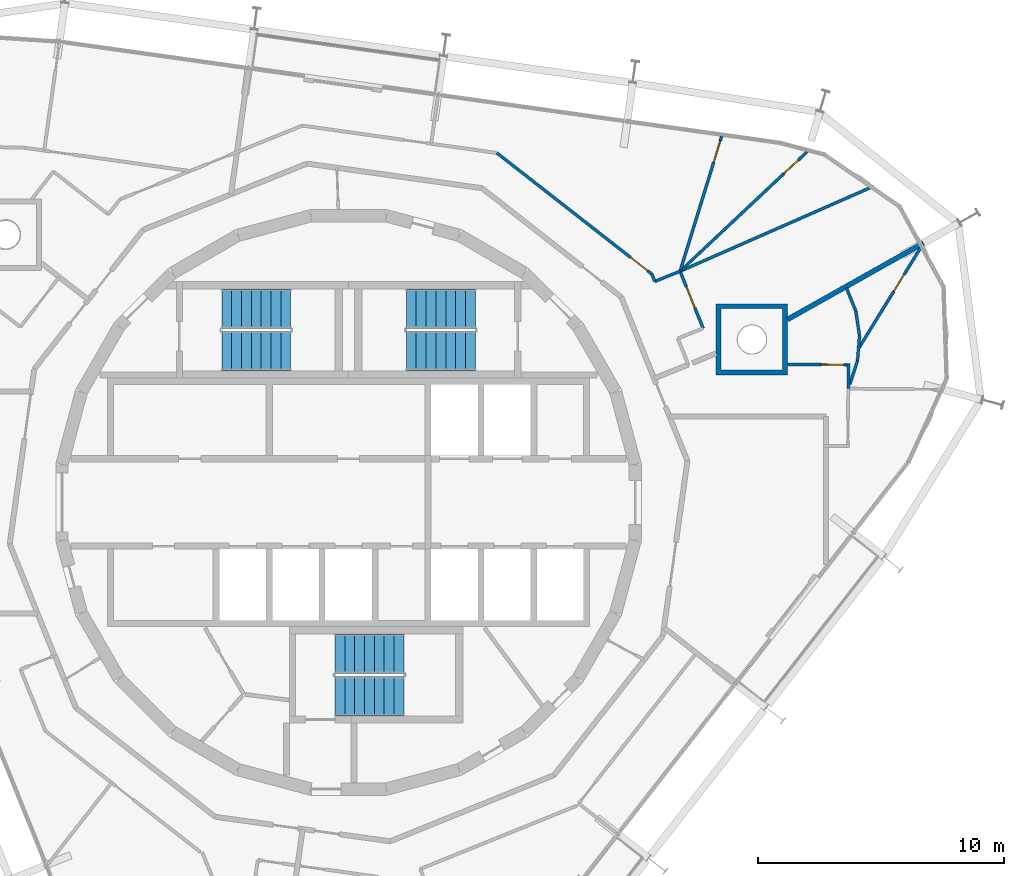
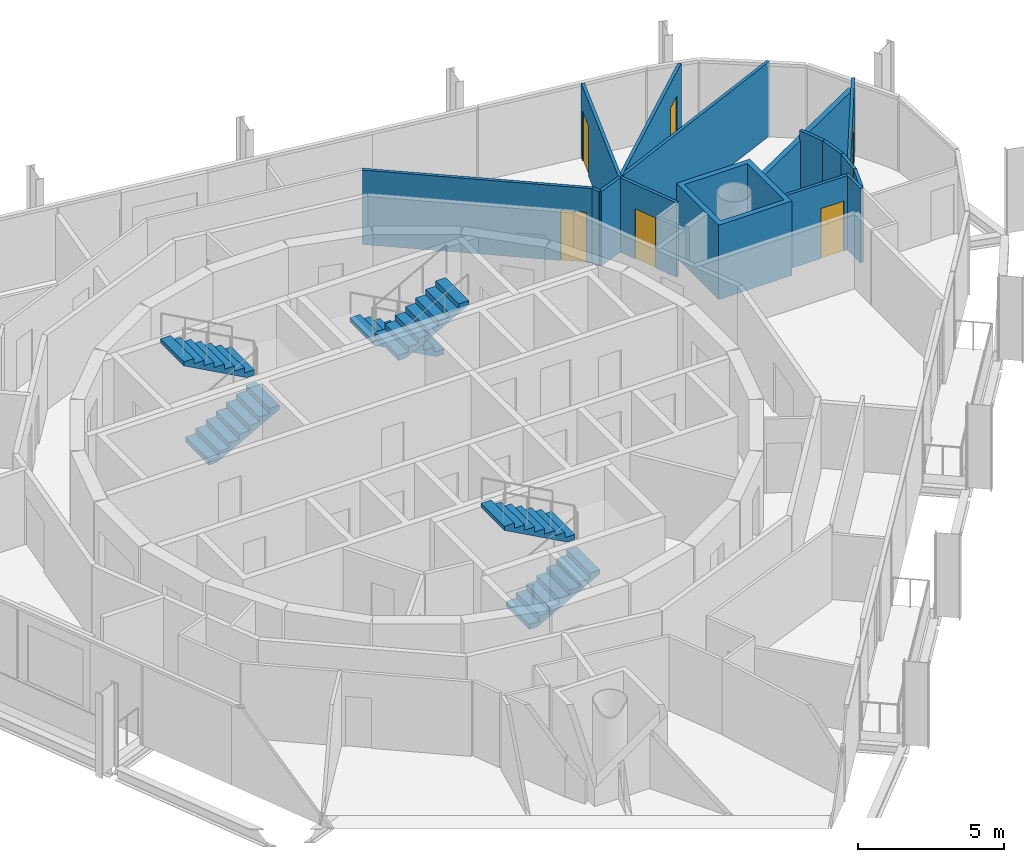
# One storey, part 14 of 15: 16 walls, 6 doors, 6 stair flights, 6 openings, 3 elements without a shape of their own.
"""IFC4 building model written with IfcOpenShell, lengths in metres."""

import ifcopenshell
import ifcopenshell.guid

model = None  # the IFC model being written
_history = None  # IfcOwnerHistory: only IFC2X3 demands one
_inside = {}  # id of a spatial element -> (the spatial element, [elements in it])
_under = {}  # id of a project, library or spatial element -> (it, [spatial elements below it])
_declared = {}  # id of a project -> (the project, [libraries it declares])
_typed = {}  # id of a type object -> (the type object, [elements of that type])
_made_of = {}  # id of a material, layer set ... -> (it, [elements and type objects made of it])


def new_model(schema):
    """Start an empty IFC model of exactly this schema.

    Asked for "IFC4X3", IfcOpenShell would pick the latest addendum, in which some entities
    have other attributes; the version numbers below select the first issue.
    IFC2X3 requires an IfcOwnerHistory on every rooted entity: one is made here for all.
    """
    global model, _history
    if schema == "IFC4X3":
        model = ifcopenshell.file(schema_version=(4, 3, 0, 0))
    else:
        model = ifcopenshell.file(schema=schema)
    _inside.clear()
    _under.clear()
    _declared.clear()
    _typed.clear()
    _made_of.clear()
    _history = None
    if model.schema == "IFC2X3":
        org = make("IfcOrganization", Name="unknown")
        user = make(
            "IfcPersonAndOrganization",
            ThePerson=make("IfcPerson", FamilyName="unknown"),
            TheOrganization=org,
        )
        app = make(
            "IfcApplication",
            ApplicationDeveloper=org,
            Version="unknown",
            ApplicationFullName="unknown",
            ApplicationIdentifier="unknown",
        )
        _history = make(
            "IfcOwnerHistory",
            OwningUser=user,
            OwningApplication=app,
            ChangeAction="ADDED",
            CreationDate=0,
        )
    return model


def make(cls, **values):
    """One entity of the class cls with the attributes given. An attribute that is None is left unset."""
    return model.create_entity(
        cls, **{name: value for name, value in values.items() if value is not None}
    )


def rooted(cls, **values):
    """An entity with a GlobalId (a new one), such as an element, a storey or a relation."""
    return make(cls, GlobalId=ifcopenshell.guid.new(), OwnerHistory=_history, **values)


def si_unit(unit_type, name, prefix=None):
    """IfcSIUnit, for example si_unit("LENGTHUNIT", "METRE", prefix="MILLI")."""
    return make("IfcSIUnit", UnitType=unit_type, Prefix=prefix, Name=name)


def assignment(units):
    """IfcUnitAssignment: the units of a project."""
    return None if units is None else make("IfcUnitAssignment", Units=units)


def point(xyz):
    """IfcCartesianPoint."""
    return None if xyz is None else make("IfcCartesianPoint", Coordinates=xyz)


def direction(xyz):
    """IfcDirection."""
    return None if xyz is None else make("IfcDirection", DirectionRatios=xyz)


def frame(location, z_axis=None, x_axis=None):
    """IfcAxis2Placement3D, a coordinate frame: its origin and axes. An axis left out is left unset."""
    return make(
        "IfcAxis2Placement3D",
        Location=point(location),
        Axis=direction(z_axis),
        RefDirection=direction(x_axis),
    )


def frame_2d(location, x_axis=None):
    """IfcAxis2Placement2D, a coordinate frame in the plane: its origin and x axis."""
    return make(
        "IfcAxis2Placement2D", Location=point(location), RefDirection=direction(x_axis)
    )


def origin():
    """The frame at (0, 0, 0) with its axes left unset."""
    return frame((0.0, 0.0, 0.0))


def place(relative_to, where):
    """IfcLocalPlacement: puts the frame where relative to a parent placement (None: the world)."""
    return make(
        "IfcLocalPlacement", PlacementRelTo=relative_to, RelativePlacement=where
    )


def context(
    kind, dimensions, precision=None, world=None, true_north=None, identifier=None
):
    """IfcGeometricRepresentationContext, for example the 3D "Model" context."""
    return make(
        "IfcGeometricRepresentationContext",
        ContextIdentifier=identifier,
        ContextType=kind,
        CoordinateSpaceDimension=dimensions,
        Precision=precision,
        WorldCoordinateSystem=world,
        TrueNorth=true_north,
    )


def subcontext(parent, identifier, kind, view, scale=None):
    """IfcGeometricRepresentationSubContext, for example "Body" below "Model"."""
    return make(
        "IfcGeometricRepresentationSubContext",
        ContextIdentifier=identifier,
        ContextType=kind,
        ParentContext=parent,
        TargetScale=scale,
        TargetView=view,
    )


def project(units=None, contexts=None):
    """IfcProject with its units and contexts."""
    return rooted(
        "IfcProject",
        Name="project",
        RepresentationContexts=contexts,
        UnitsInContext=assignment(units),
    )


def spatial(cls, under=None, at=None, **own):
    """A site, building, storey or space (cls), placed at a placement, below another one or the project."""
    s = rooted(cls, ObjectPlacement=at, **own)
    if under is not None:
        _under.setdefault(under.id(), (under, []))[1].append(s)
    return s


def polyline(points):
    """IfcPolyline through the points."""
    return make("IfcPolyline", Points=[point(p) for p in points])


def profile(cls, at=None, kind="AREA", **sizes):
    """A parametric profile (cls). Its sizes go by their IFC names, for example OverallWidth=200.0."""
    return make(cls, ProfileType=kind, Position=at, **sizes)


def rectangle(**sizes):
    """IfcRectangleProfileDef."""
    return profile("IfcRectangleProfileDef", **sizes)


def outline(outer, holes=None, kind="AREA"):
    """IfcArbitraryClosedProfileDef: a profile drawn as a closed curve; with holes, ...WithVoids."""
    if holes is None:
        return make("IfcArbitraryClosedProfileDef", ProfileType=kind, OuterCurve=outer)
    return make(
        "IfcArbitraryProfileDefWithVoids",
        ProfileType=kind,
        OuterCurve=outer,
        InnerCurves=holes,
    )


def extrude(swept, where, along, depth):
    """IfcExtrudedAreaSolid: the profile swept, set in the frame where, extruded along a direction by depth."""
    return make(
        "IfcExtrudedAreaSolid",
        SweptArea=swept,
        Position=where,
        ExtrudedDirection=direction(along),
        Depth=depth,
    )


def shape(context_of_items, identifier, shape_type, items):
    """IfcShapeRepresentation: the items that make up one representation, for example the "Body"."""
    return make(
        "IfcShapeRepresentation",
        ContextOfItems=context_of_items,
        RepresentationIdentifier=identifier,
        RepresentationType=shape_type,
        Items=items,
    )


def material(Name=None, Category=None):
    """IfcMaterial."""
    return make("IfcMaterial", Name=Name, Category=Category)


def layer(
    of_material, thickness, ventilated=None, Name=None, Category=None, Priority=None
):
    """IfcMaterialLayer: one layer of a wall or slab, of a material (None: an air gap)."""
    return make(
        "IfcMaterialLayer",
        Material=of_material,
        LayerThickness=thickness,
        IsVentilated=ventilated,
        Name=Name,
        Category=Category,
        Priority=Priority,
    )


def layer_set(layers, Name=None):
    """IfcMaterialLayerSet."""
    return make("IfcMaterialLayerSet", MaterialLayers=layers, LayerSetName=Name)


def made_of(thing, what):
    """Note that an element or type object is made of a material, layer set ...; save() writes the relation."""
    if what is not None:
        _made_of.setdefault(what.id(), (what, []))[1].append(thing)
    return thing


def type_object(cls, material=None, **own):
    """A type object (cls), such as IfcWallType, which elements share."""
    return made_of(rooted(cls, **own), material)


def element(
    cls,
    number,
    at=None,
    inside=None,
    cuts=None,
    type_object=None,
    material=None,
    context=None,
    identifier="Body",
    shape_type=None,
    held_by="IfcProductDefinitionShape",
    body=None,
    shapes=None,
    **own,
):
    """One element of the class cls, such as IfcWall. Its Tag is "e" and its number.

    at: its placement. inside: the storey or other place that contains it. cuts: it is an
    opening in that element (IfcRelVoidsElement). A single representation is given by context,
    identifier, shape_type and body (its items); several are given by shapes. held_by: the class
    of the entity that holds the representations. save() writes the other relations.
    """
    e = rooted(cls, Tag="e%d" % number, ObjectPlacement=at, **own)
    if body is not None:
        shapes = [shape(context, identifier, shape_type, body)]
    if shapes is not None:
        e.Representation = make(held_by, Representations=shapes)
    if inside is not None:
        _inside.setdefault(inside.id(), (inside, []))[1].append(e)
    if cuts is not None:
        rooted(
            "IfcRelVoidsElement", RelatingBuildingElement=cuts, RelatedOpeningElement=e
        )
    if type_object is not None:
        _typed.setdefault(type_object.id(), (type_object, []))[1].append(e)
    return made_of(e, material)


def fill(opening, filler):
    """IfcRelFillsElement: the door or window that sits in an opening."""
    return rooted(
        "IfcRelFillsElement",
        RelatingOpeningElement=opening,
        RelatedBuildingElement=filler,
    )


def aggregate(whole, parts):
    """IfcRelAggregates: a whole, such as a stair, and the parts it consists of."""
    return rooted("IfcRelAggregates", RelatingObject=whole, RelatedObjects=parts)


def save(model, path):
    """Write the relations noted so far, then the file.

    IfcRelAggregates (storeys below a building ...), IfcRelContainedInSpatialStructure (elements
    in a storey), IfcRelDefinesByType, IfcRelAssociatesMaterial and IfcRelDeclares: one each for
    every whole, place, type object, material and project.
    """
    for whole, parts in _under.values():
        aggregate(whole, parts)
    for where, things in _inside.values():
        rooted(
            "IfcRelContainedInSpatialStructure",
            RelatedElements=things,
            RelatingStructure=where,
        )
    for kind, things in _typed.values():
        rooted("IfcRelDefinesByType", RelatedObjects=things, RelatingType=kind)
    for what, things in _made_of.values():
        rooted("IfcRelAssociatesMaterial", RelatedObjects=things, RelatingMaterial=what)
    for by, libraries in _declared.values():
        rooted("IfcRelDeclares", RelatingContext=by, RelatedDefinitions=libraries)
    model.write(path)


model = new_model("IFC4")

# Units and contexts
model_context = context("Model", 3, precision=1e-05, world=origin(), true_north=direction((0.0, 1.0)))
body_context = subcontext(model_context, "Body", "Model", "MODEL_VIEW")
ifc_project = project(units=[si_unit("LENGTHUNIT", "METRE"), si_unit("AREAUNIT", "SQUARE_METRE"), si_unit("VOLUMEUNIT", "CUBIC_METRE"), si_unit("PLANEANGLEUNIT", "RADIAN"), si_unit("MASSUNIT", "GRAM", prefix="KILO")], contexts=[model_context])

# Site, building, storey
site_placement = place(None, origin())
site = spatial("IfcSite", under=ifc_project, at=site_placement, CompositionType="ELEMENT")
building_placement = place(site_placement, origin())
building = spatial("IfcBuilding", under=site, at=building_placement, Name="Spindle Arch Residences", CompositionType="ELEMENT")
storey_placement = place(building_placement, frame((0.0, 0.0, 340.0)))
storey = spatial("IfcBuildingStorey", under=building, at=storey_placement, Name="L87", CompositionType="ELEMENT", Elevation=340.0)

# Wall
ifc_material_1 = material(Name="Plasterboard on steel studs", Category="steel")
ifc_layer_1 = layer(ifc_material_1, 0.1201171875)
ifc_layer_set_1 = layer_set([ifc_layer_1], Name="Flat partition 120")
wall_type_1 = type_object("IfcWallType", Name="Flat partition 120", PredefinedType="PARTITIONING", material=ifc_layer_set_1)
wall_1_placement = place(storey_placement, frame((20.30615234375, 4.638671875, 0.0), z_axis=(0.0, 0.0, 1.0), x_axis=(0.008906724211, 0.999960334345, 0.0)))
element("IfcWall", 1, at=wall_1_placement, inside=storey, type_object=wall_type_1, Name="Flat partition R9A0-W033", PredefinedType="PARTITIONING", context=body_context, shape_type="SweptSolid", body=[
    extrude(rectangle(XDim=1.01416015625, YDim=0.1201171875, at=frame_2d((0.507080078125, 0.0))), origin(), (0.0, 0.0, 1.0), 3.1201171875),
])

# Wall, opening, door
wall_2_placement = place(storey_placement, frame((20.314697265625, 5.593017578125, 0.0), z_axis=(0.0, 0.0, 1.0), x_axis=(-0.999960597409, 0.008877140833, 0.0)))
wall_2 = element("IfcWall", 2, at=wall_2_placement, inside=storey, type_object=wall_type_1, Name="Flat partition R9A0-W034", PredefinedType="PARTITIONING", context=body_context, shape_type="SweptSolid", body=[
    extrude(rectangle(XDim=2.47509765625, YDim=0.1201171875, at=frame_2d((1.237548828125, 0.0))), origin(), (0.0, 0.0, 1.0), 3.1201171875),
])
opening_1_placement = place(wall_2_placement, frame((0.199951171875, 0.0, 0.0)))
opening_1 = element("IfcOpeningElement", 3, at=opening_1_placement, cuts=wall_2, Name="Opening R9A0-ID02", PredefinedType="OPENING", context=body_context, shape_type="SweptSolid", body=[
    extrude(rectangle(XDim=0.89990234375, YDim=2.10009765625, at=frame_2d((0.449951171875, 1.050048828125))), frame((0.0, 0.070068359375, 0.0), z_axis=(0.0, -1.0, 0.0), x_axis=(1.0, 0.0, 0.0)), (0.0, 0.0, 1.0), 0.14013671875),
])
ifc_material_2 = material(Name="Timber door set", Category="wood")
door_type_1 = type_object("IfcDoorType", Name="Room door 900x2100", OperationType="NOTDEFINED", PredefinedType="DOOR", material=ifc_material_2)
door_1_placement = place(opening_1_placement, origin())
door_1 = element("IfcDoor", 4, at=door_1_placement, inside=storey, type_object=door_type_1, Name="Room door R9A0-ID02", OperationType="SINGLE_SWING_RIGHT", OverallHeight=2.10009765625, OverallWidth=0.89990234375, PredefinedType="DOOR", context=body_context, shape_type="SweptSolid", body=[
    extrude(rectangle(XDim=0.89990234375, YDim=2.10009765625, at=frame_2d((0.449951171875, 1.050048828125))), frame((0.0, 0.02490234375, 0.0), z_axis=(0.0, -1.0, 0.0), x_axis=(1.0, 0.0, 0.0)), (0.0, 0.0, 1.0), 0.050048828125),
])
fill(opening_1, door_1)

# Walls
wall_3_placement = place(storey_placement, frame((20.762451171875, 6.774658203125, 0.0), z_axis=(0.0, 0.0, 1.0), x_axis=(-0.08121587, -0.996696534789, 0.0)))
element("IfcWall", 5, at=wall_3_placement, inside=storey, type_object=wall_type_1, Name="Flat partition R9A0-W036", PredefinedType="PARTITIONING", context=body_context, shape_type="SweptSolid", body=[
    extrude(rectangle(XDim=1.01611328125, YDim=0.1201171875, at=frame_2d((0.508056640625, 0.0))), origin(), (0.0, 0.0, 1.0), 3.1201171875),
])
wall_4_placement = place(storey_placement, frame((20.679931640625, 5.761962890625, 0.0), z_axis=(0.0, 0.0, 1.0), x_axis=(-0.30908063779, -0.951035834942, 0.0)))
element("IfcWall", 6, at=wall_4_placement, inside=storey, type_object=wall_type_1, Name="Flat partition R9A0-W037", PredefinedType="PARTITIONING", context=body_context, shape_type="SweptSolid", body=[
    extrude(rectangle(XDim=1.015869140625, YDim=0.1201171875, at=frame_2d((0.5078125, 0.0))), origin(), (0.0, 0.0, 1.0), 3.1201171875),
])

# Wall, opening, door
wall_5_placement = place(storey_placement, frame((23.357421875, 10.532470703125, 0.0), z_axis=(0.0, 0.0, 1.0), x_axis=(-0.524476563806, -0.851424884542, 0.0)))
wall_5 = element("IfcWall", 7, at=wall_5_placement, inside=storey, type_object=wall_type_1, Name="Flat partition R9A0-W038", PredefinedType="PARTITIONING", context=body_context, shape_type="SweptSolid", body=[
    extrude(rectangle(XDim=5.029296875, YDim=0.1201171875, at=frame_2d((2.5146484375, 0.0))), origin(), (0.0, 0.0, 1.0), 3.1201171875),
])
opening_2_placement = place(wall_5_placement, frame((1.5, 0.0, 0.0)))
opening_2 = element("IfcOpeningElement", 8, at=opening_2_placement, cuts=wall_5, Name="Opening R9A0-BD01", PredefinedType="OPENING", context=body_context, shape_type="SweptSolid", body=[
    extrude(rectangle(XDim=0.800048828125, YDim=2.10009765625, at=frame_2d((0.39990234375, 1.050048828125))), frame((0.0, 0.070068359375, 0.0), z_axis=(0.0, -1.0, 0.0), x_axis=(1.0, 0.0, 0.0)), (0.0, 0.0, 1.0), 0.14013671875),
])
ifc_material_3 = material(Name="Timber door set", Category="wood")
door_type_2 = type_object("IfcDoorType", Name="Bathroom door 800x2100", OperationType="NOTDEFINED", PredefinedType="DOOR", material=ifc_material_3)
door_2_placement = place(opening_2_placement, origin())
door_2 = element("IfcDoor", 9, at=door_2_placement, inside=storey, type_object=door_type_2, Name="Bathroom door R9A0-BD01", OperationType="SINGLE_SWING_RIGHT", OverallHeight=2.10009765625, OverallWidth=0.800048828125, PredefinedType="DOOR", context=body_context, shape_type="SweptSolid", body=[
    extrude(rectangle(XDim=0.800048828125, YDim=2.10009765625, at=frame_2d((0.39990234375, 1.050048828125))), frame((0.0, 0.02490234375, 0.0), z_axis=(0.0, -1.0, 0.0), x_axis=(1.0, 0.0, 0.0)), (0.0, 0.0, 1.0), 0.050048828125),
])
fill(opening_2, door_2)

# Walls
wall_6_placement = place(storey_placement, frame((20.762451171875, 6.774658203125, 0.0), z_axis=(0.0, 0.0, 1.0), x_axis=(-0.150702440861, 0.988579169474, 0.0)))
element("IfcWall", 10, at=wall_6_placement, inside=storey, type_object=wall_type_1, Name="Flat partition R9A0-W039", PredefinedType="PARTITIONING", context=body_context, shape_type="SweptSolid", body=[
    extrude(rectangle(XDim=1.015869140625, YDim=0.1201171875, at=frame_2d((0.5078125, 0.0))), origin(), (0.0, 0.0, 1.0), 3.1201171875),
])
wall_7_placement = place(storey_placement, frame((20.609375, 7.77880859375, 0.0), z_axis=(0.0, 0.0, 1.0), x_axis=(-0.374371668856, 0.927278735633, 0.0)))
element("IfcWall", 11, at=wall_7_placement, inside=storey, type_object=wall_type_1, Name="Flat partition R9A0-W040", PredefinedType="PARTITIONING", context=body_context, shape_type="SweptSolid", body=[
    extrude(rectangle(XDim=1.01611328125, YDim=0.1201171875, at=frame_2d((0.508056640625, 0.0))), origin(), (0.0, 0.0, 1.0), 3.1201171875),
])

# Wall, opening, door
wall_8_placement = place(storey_placement, frame((14.406494140625, 7.076416015625, 0.0), z_axis=(0.0, 0.0, 1.0), x_axis=(-0.374503415005, 0.927225534673, 0.0)))
wall_8 = element("IfcWall", 12, at=wall_8_placement, inside=storey, type_object=wall_type_1, Name="Flat partition R9A0-W043", PredefinedType="PARTITIONING", context=body_context, shape_type="SweptSolid", body=[
    extrude(rectangle(XDim=2.5, YDim=0.1201171875, at=frame_2d((1.25, 0.0))), origin(), (0.0, 0.0, 1.0), 3.1201171875),
])
opening_3_placement = place(wall_8_placement, frame((0.89990234375, 0.0, 0.0)))
opening_3 = element("IfcOpeningElement", 13, at=opening_3_placement, cuts=wall_8, Name="Opening R9A0-ID04", PredefinedType="OPENING", context=body_context, shape_type="SweptSolid", body=[
    extrude(rectangle(XDim=0.89990234375, YDim=2.10009765625, at=frame_2d((0.449951171875, 1.050048828125))), frame((0.0, 0.070068359375, 0.0), z_axis=(0.0, -1.0, 0.0), x_axis=(1.0, 0.0, 0.0)), (0.0, 0.0, 1.0), 0.14013671875),
])
door_3_placement = place(opening_3_placement, origin())
door_3 = element("IfcDoor", 14, at=door_3_placement, inside=storey, type_object=door_type_1, Name="Room door R9A0-ID04", OperationType="SINGLE_SWING_LEFT", OverallHeight=2.10009765625, OverallWidth=0.89990234375, PredefinedType="DOOR", context=body_context, shape_type="SweptSolid", body=[
    extrude(rectangle(XDim=0.89990234375, YDim=2.10009765625, at=frame_2d((0.449951171875, 1.050048828125))), frame((0.0, 0.02490234375, 0.0), z_axis=(0.0, -1.0, 0.0), x_axis=(1.0, 0.0, 0.0)), (0.0, 0.0, 1.0), 0.050048828125),
])
fill(opening_3, door_3)

# Walls
wall_9_placement = place(storey_placement, frame((13.47021484375, 9.39453125, 0.0), z_axis=(0.0, 0.0, 1.0), x_axis=(-0.927180061276, -0.374615982003, 0.0)))
element("IfcWall", 15, at=wall_9_placement, inside=storey, type_object=wall_type_1, Name="Flat partition R9A0-W044", PredefinedType="PARTITIONING", context=body_context, shape_type="SweptSolid", body=[
    extrude(rectangle(XDim=1.108642578125, YDim=0.1201171875, at=frame_2d((0.55419921875, 0.0))), origin(), (0.0, 0.0, 1.0), 3.1201171875),
])
wall_10_placement = place(storey_placement, frame((12.4423828125, 8.979248046875, 0.0), z_axis=(0.0, 0.0, 1.0), x_axis=(-0.374979656603, 0.927033039936, 0.0)))
element("IfcWall", 16, at=wall_10_placement, inside=storey, type_object=wall_type_1, Name="Flat partition R9A0-W045", PredefinedType="PARTITIONING", context=body_context, shape_type="SweptSolid", body=[
    extrude(rectangle(XDim=0.328125, YDim=0.1201171875, at=frame_2d((0.1640625, 0.0))), origin(), (0.0, 0.0, 1.0), 3.1201171875),
])

# Wall, opening, door
wall_11_placement = place(storey_placement, frame((12.3193359375, 9.283447265625, 0.0), z_axis=(0.0, 0.0, 1.0), x_axis=(-0.788000268464, 0.61567489546, 0.0)))
wall_11 = element("IfcWall", 17, at=wall_11_placement, inside=storey, type_object=wall_type_1, Name="Flat partition R9A0-W046", PredefinedType="PARTITIONING", context=body_context, shape_type="SweptSolid", body=[
    extrude(rectangle(XDim=7.98486328125, YDim=0.1201171875, at=frame_2d((3.992431640625, 0.0))), origin(), (0.0, 0.0, 1.0), 3.1201171875),
])
opening_4_placement = place(wall_11_placement, frame((0.199951171875, 0.0, 0.0)))
opening_4 = element("IfcOpeningElement", 18, at=opening_4_placement, cuts=wall_11, Name="Opening R9A0-ID05", PredefinedType="OPENING", context=body_context, shape_type="SweptSolid", body=[
    extrude(rectangle(XDim=0.89990234375, YDim=2.10009765625, at=frame_2d((0.449951171875, 1.050048828125))), frame((0.0, 0.070068359375, 0.0), z_axis=(0.0, -1.0, 0.0), x_axis=(1.0, 0.0, 0.0)), (0.0, 0.0, 1.0), 0.14013671875),
])
door_4_placement = place(opening_4_placement, origin())
door_4 = element("IfcDoor", 19, at=door_4_placement, inside=storey, type_object=door_type_1, Name="Room door R9A0-ID05", OperationType="SINGLE_SWING_LEFT", OverallHeight=2.10009765625, OverallWidth=0.89990234375, PredefinedType="DOOR", context=body_context, shape_type="SweptSolid", body=[
    extrude(rectangle(XDim=0.89990234375, YDim=2.10009765625, at=frame_2d((0.449951171875, 1.050048828125))), frame((0.0, 0.02490234375, 0.0), z_axis=(0.0, -1.0, 0.0), x_axis=(1.0, 0.0, 0.0)), (0.0, 0.0, 1.0), 0.050048828125),
])
fill(opening_4, door_4)

# Wall
wall_12_placement = place(storey_placement, frame((21.33837890625, 12.851318359375, 0.0), z_axis=(0.0, 0.0, 1.0), x_axis=(-0.915538158579, -0.402231127818, 0.0)))
element("IfcWall", 20, at=wall_12_placement, inside=storey, type_object=wall_type_1, Name="Flat partition R9A0-W049", PredefinedType="PARTITIONING", context=body_context, shape_type="SweptSolid", body=[
    extrude(rectangle(XDim=8.593994140625, YDim=0.1201171875, at=frame_2d((4.296875, 0.0))), origin(), (0.0, 0.0, 1.0), 3.1201171875),
])

# Wall, opening, door
wall_13_placement = place(storey_placement, frame((18.63330078125, 14.248291015625, 0.0), z_axis=(0.0, 0.0, 1.0), x_axis=(-0.728595344908, -0.684944394369, 0.0)))
wall_13 = element("IfcWall", 21, at=wall_13_placement, inside=storey, type_object=wall_type_1, Name="Flat partition R9A0-W050", PredefinedType="PARTITIONING", context=body_context, shape_type="SweptSolid", body=[
    extrude(rectangle(XDim=7.08642578125, YDim=0.1201171875, at=frame_2d((3.543212890625, 0.0))), origin(), (0.0, 0.0, 1.0), 3.1201171875),
])
opening_5_placement = place(wall_13_placement, frame((0.5, 0.0, 0.0)))
opening_5 = element("IfcOpeningElement", 22, at=opening_5_placement, cuts=wall_13, Name="Opening R9A0-BD02", PredefinedType="OPENING", context=body_context, shape_type="SweptSolid", body=[
    extrude(rectangle(XDim=0.800048828125, YDim=2.10009765625, at=frame_2d((0.39990234375, 1.050048828125))), frame((0.0, 0.070068359375, 0.0), z_axis=(0.0, -1.0, 0.0), x_axis=(1.0, 0.0, 0.0)), (0.0, 0.0, 1.0), 0.14013671875),
])
door_5_placement = place(opening_5_placement, origin())
door_5 = element("IfcDoor", 23, at=door_5_placement, inside=storey, type_object=door_type_2, Name="Bathroom door R9A0-BD02", OperationType="SINGLE_SWING_LEFT", OverallHeight=2.10009765625, OverallWidth=0.800048828125, PredefinedType="DOOR", context=body_context, shape_type="SweptSolid", body=[
    extrude(rectangle(XDim=0.800048828125, YDim=2.10009765625, at=frame_2d((0.39990234375, 1.050048828125))), frame((0.0, 0.02490234375, 0.0), z_axis=(0.0, -1.0, 0.0), x_axis=(1.0, 0.0, 0.0)), (0.0, 0.0, 1.0), 0.050048828125),
])
fill(opening_5, door_5)

wall_14_placement = place(storey_placement, frame((15.16015625, 14.873291015625, 0.0), z_axis=(0.0, 0.0, 1.0), x_axis=(-0.294750051258, -0.955574386055, 0.0)))
wall_14 = element("IfcWall", 24, at=wall_14_placement, inside=storey, type_object=wall_type_1, Name="Flat partition R9A0-W051", PredefinedType="PARTITIONING", context=body_context, shape_type="SweptSolid", body=[
    extrude(rectangle(XDim=5.7333984375, YDim=0.1201171875, at=frame_2d((2.86669921875, 0.0))), origin(), (0.0, 0.0, 1.0), 3.1201171875),
])
opening_6_placement = place(wall_14_placement, frame((0.199951171875, 0.0, 0.0)))
opening_6 = element("IfcOpeningElement", 25, at=opening_6_placement, cuts=wall_14, Name="Opening R9A0-ID07", PredefinedType="OPENING", context=body_context, shape_type="SweptSolid", body=[
    extrude(rectangle(XDim=0.89990234375, YDim=2.10009765625, at=frame_2d((0.449951171875, 1.050048828125))), frame((0.0, 0.070068359375, 0.0), z_axis=(0.0, -1.0, 0.0), x_axis=(1.0, 0.0, 0.0)), (0.0, 0.0, 1.0), 0.14013671875),
])
door_6_placement = place(opening_6_placement, origin())
door_6 = element("IfcDoor", 26, at=door_6_placement, inside=storey, type_object=door_type_1, Name="Room door R9A0-ID07", OperationType="SINGLE_SWING_LEFT", OverallHeight=2.10009765625, OverallWidth=0.89990234375, PredefinedType="DOOR", context=body_context, shape_type="SweptSolid", body=[
    extrude(rectangle(XDim=0.89990234375, YDim=2.10009765625, at=frame_2d((0.449951171875, 1.050048828125))), frame((0.0, 0.02490234375, 0.0), z_axis=(0.0, -1.0, 0.0), x_axis=(1.0, 0.0, 0.0)), (0.0, 0.0, 1.0), 0.050048828125),
])
fill(opening_6, door_6)

# Walls
ifc_material_4 = material(Name="Calcium silicate block, plastered")
ifc_layer_2 = layer(ifc_material_4, 0.199951171875)
ifc_layer_set_2 = layer_set([ifc_layer_2], Name="Flat party wall 200 under beam 2730")
wall_type_2 = type_object("IfcWallType", Name="Flat party wall 200 under beam 2730", PredefinedType="STANDARD", material=ifc_layer_set_2)
wall_15_placement = place(storey_placement, frame((23.354248046875, 10.536865234375, 0.0), z_axis=(0.0, 0.0, 1.0), x_axis=(-0.871719790551, -0.490004700754, 0.0)))
element("IfcWall", 27, at=wall_15_placement, inside=storey, type_object=wall_type_2, Name="Flat party wall R9A0-W025", PredefinedType="STANDARD", context=body_context, shape_type="SweptSolid", body=[
    extrude(rectangle(XDim=6.326171875, YDim=0.199951171875, at=frame_2d((3.1630859375, 0.0))), origin(), (0.0, 0.0, 1.0), 2.72998046875),
])
ifc_material_5 = material(Name="Calcium silicate block, plastered")
ifc_layer_3 = layer(ifc_material_5, 0.199951171875)
ifc_layer_set_3 = layer_set([ifc_layer_3], Name="Mega-column casing wall 200")
wall_type_3 = type_object("IfcWallType", Name="Mega-column casing wall 200", PredefinedType="STANDARD", material=ifc_layer_set_3)
wall_16_placement = place(storey_placement, origin())
element("IfcWall", 28, at=wall_16_placement, inside=storey, type_object=wall_type_3, Name="Mega-column casing wall R9A0-WC01", PredefinedType="STANDARD", context=body_context, shape_type="SweptSolid", body=[
    extrude(outline(polyline([(17.839599609375, 8.072021484375), (17.839599609375, 5.171875), (14.939697265625, 5.171875), (14.939697265625, 8.072021484375), (17.839599609375, 8.072021484375)]), holes=[polyline([(15.1396484375, 5.371826171875), (17.6396484375, 5.371826171875), (17.6396484375, 7.871826171875), (15.1396484375, 7.871826171875), (15.1396484375, 5.371826171875)])]), origin(), (0.0, 0.0, 1.0), 3.1201171875),
])

# Stair, stair flights
ifc_material_6 = material(Name="Concrete C50/60", Category="concrete")
stair_type = type_object("IfcStairType", Name="Exit stair 16 risers", PredefinedType="HALF_TURN_STAIR", material=ifc_material_6)
stair_1_placement = place(storey_placement, origin())
stair_1 = element("IfcStair", 29, at=stair_1_placement, inside=storey, type_object=stair_type, Name="L87 Exit stair ST1", PredefinedType="HALF_TURN_STAIR")
ifc_material_7 = material(Name="Concrete C50/60", Category="concrete")
stair_flight_type = type_object("IfcStairFlightType", Name="Exit stair flight", PredefinedType="STRAIGHT", material=ifc_material_7)
stair_flight_1_placement = place(storey_placement, frame((5.14990234375, 7.8701171875, 0.0), z_axis=(0.0, 0.0, 1.0), x_axis=(-1.0, 0.0, 0.0)))
stair_flight_1 = element("IfcStairFlight", 30, at=stair_flight_1_placement, type_object=stair_flight_type, Name="ST1 flight 1", NumberOfRisers=8, NumberOfTreads=7, PredefinedType="STRAIGHT", RiserHeight=0.21875, TreadLength=0.4, context=body_context, shape_type="SweptSolid", body=[
    extrude(outline(polyline([(0.0, 0.0), (0.0, 0.21875), (0.39990234375, 0.21875), (0.39990234375, 0.4375), (0.800048828125, 0.4375), (0.800048828125, 0.65625), (1.199951171875, 0.65625), (1.199951171875, 0.875), (1.60009765625, 0.875), (1.60009765625, 1.09375), (2.0, 1.09375), (2.0, 1.3125), (2.39990234375, 1.3125), (2.39990234375, 1.53125), (2.800048828125, 1.53125), (2.800048828125, 1.75), (2.800048828125, 1.3603515625), (0.3125, 0.0), (0.0, 0.0)])), frame((0.0, 0.800048828125, 0.0), z_axis=(0.0, -1.0, 0.0), x_axis=(1.0, 0.0, 0.0)), (0.0, 0.0, 1.0), 1.60009765625),
])
stair_flight_2_placement = place(storey_placement, frame((2.35009765625, 6.14990234375, 1.75), z_axis=(0.0, 0.0, 1.0), x_axis=(1.0, 0.0, 0.0)))
stair_flight_2 = element("IfcStairFlight", 31, at=stair_flight_2_placement, type_object=stair_flight_type, Name="ST1 flight 2", NumberOfRisers=8, NumberOfTreads=7, PredefinedType="STRAIGHT", RiserHeight=0.21875, TreadLength=0.4, context=body_context, shape_type="SweptSolid", body=[
    extrude(outline(polyline([(0.0, 0.0), (0.0, 0.21875), (0.39990234375, 0.21875), (0.39990234375, 0.4375), (0.800048828125, 0.4375), (0.800048828125, 0.65625), (1.199951171875, 0.65625), (1.199951171875, 0.875), (1.60009765625, 0.875), (1.60009765625, 1.09375), (2.0, 1.09375), (2.0, 1.3125), (2.39990234375, 1.3125), (2.39990234375, 1.53125), (2.800048828125, 1.53125), (2.800048828125, 1.75), (2.800048828125, 1.3603515625), (0.3125, 0.0), (0.0, 0.0)])), frame((0.0, 0.800048828125, 0.0), z_axis=(0.0, -1.0, 0.0), x_axis=(1.0, 0.0, 0.0)), (0.0, 0.0, 1.0), 1.60009765625),
])
aggregate(stair_1, [stair_flight_1, stair_flight_2])

stair_2_placement = place(storey_placement, origin())
stair_2 = element("IfcStair", 32, at=stair_2_placement, inside=storey, type_object=stair_type, Name="L87 Exit stair ST2", PredefinedType="HALF_TURN_STAIR")
stair_flight_3_placement = place(storey_placement, frame((-5.14990234375, 6.14990234375, 0.0), z_axis=(0.0, 0.0, 1.0), x_axis=(1.0, 0.0, 0.0)))
stair_flight_3 = element("IfcStairFlight", 33, at=stair_flight_3_placement, type_object=stair_flight_type, Name="ST2 flight 1", NumberOfRisers=8, NumberOfTreads=7, PredefinedType="STRAIGHT", RiserHeight=0.21875, TreadLength=0.4, context=body_context, shape_type="SweptSolid", body=[
    extrude(outline(polyline([(0.0, 0.0), (0.0, 0.21875), (0.39990234375, 0.21875), (0.39990234375, 0.4375), (0.800048828125, 0.4375), (0.800048828125, 0.65625), (1.199951171875, 0.65625), (1.199951171875, 0.875), (1.60009765625, 0.875), (1.60009765625, 1.09375), (2.0, 1.09375), (2.0, 1.3125), (2.39990234375, 1.3125), (2.39990234375, 1.53125), (2.800048828125, 1.53125), (2.800048828125, 1.75), (2.800048828125, 1.3603515625), (0.3125, 0.0), (0.0, 0.0)])), frame((0.0, 0.800048828125, 0.0), z_axis=(0.0, -1.0, 0.0), x_axis=(1.0, 0.0, 0.0)), (0.0, 0.0, 1.0), 1.60009765625),
])
stair_flight_4_placement = place(storey_placement, frame((-2.35009765625, 7.8701171875, 1.75), z_axis=(0.0, 0.0, 1.0), x_axis=(-1.0, 0.0, 0.0)))
stair_flight_4 = element("IfcStairFlight", 34, at=stair_flight_4_placement, type_object=stair_flight_type, Name="ST2 flight 2", NumberOfRisers=8, NumberOfTreads=7, PredefinedType="STRAIGHT", RiserHeight=0.21875, TreadLength=0.4, context=body_context, shape_type="SweptSolid", body=[
    extrude(outline(polyline([(0.0, 0.0), (0.0, 0.21875), (0.39990234375, 0.21875), (0.39990234375, 0.4375), (0.800048828125, 0.4375), (0.800048828125, 0.65625), (1.199951171875, 0.65625), (1.199951171875, 0.875), (1.60009765625, 0.875), (1.60009765625, 1.09375), (2.0, 1.09375), (2.0, 1.3125), (2.39990234375, 1.3125), (2.39990234375, 1.53125), (2.800048828125, 1.53125), (2.800048828125, 1.75), (2.800048828125, 1.3603515625), (0.3125, 0.0), (0.0, 0.0)])), frame((0.0, 0.800048828125, 0.0), z_axis=(0.0, -1.0, 0.0), x_axis=(1.0, 0.0, 0.0)), (0.0, 0.0, 1.0), 1.60009765625),
])
aggregate(stair_2, [stair_flight_3, stair_flight_4])

stair_3_placement = place(storey_placement, origin())
stair_3 = element("IfcStair", 35, at=stair_3_placement, inside=storey, type_object=stair_type, Name="L87 Exit stair ST3", PredefinedType="HALF_TURN_STAIR")
stair_flight_5_placement = place(storey_placement, frame((-0.550048828125, -7.8701171875, 0.0), z_axis=(0.0, 0.0, 1.0), x_axis=(1.0, 0.0, 0.0)))
stair_flight_5 = element("IfcStairFlight", 36, at=stair_flight_5_placement, type_object=stair_flight_type, Name="ST3 flight 1", NumberOfRisers=8, NumberOfTreads=7, PredefinedType="STRAIGHT", RiserHeight=0.21875, TreadLength=0.4, context=body_context, shape_type="SweptSolid", body=[
    extrude(outline(polyline([(0.0, 0.0), (0.0, 0.21875), (0.39990234375, 0.21875), (0.39990234375, 0.4375), (0.800048828125, 0.4375), (0.800048828125, 0.65625), (1.199951171875, 0.65625), (1.199951171875, 0.875), (1.60009765625, 0.875), (1.60009765625, 1.09375), (2.0, 1.09375), (2.0, 1.3125), (2.39990234375, 1.3125), (2.39990234375, 1.53125), (2.800048828125, 1.53125), (2.800048828125, 1.75), (2.800048828125, 1.3603515625), (0.3125, 0.0), (0.0, 0.0)])), frame((0.0, 0.800048828125, 0.0), z_axis=(0.0, -1.0, 0.0), x_axis=(1.0, 0.0, 0.0)), (0.0, 0.0, 1.0), 1.60009765625),
])
stair_flight_6_placement = place(storey_placement, frame((2.25, -6.14990234375, 1.75), z_axis=(0.0, 0.0, 1.0), x_axis=(-1.0, 0.0, 0.0)))
stair_flight_6 = element("IfcStairFlight", 37, at=stair_flight_6_placement, type_object=stair_flight_type, Name="ST3 flight 2", NumberOfRisers=8, NumberOfTreads=7, PredefinedType="STRAIGHT", RiserHeight=0.21875, TreadLength=0.4, context=body_context, shape_type="SweptSolid", body=[
    extrude(outline(polyline([(0.0, 0.0), (0.0, 0.21875), (0.39990234375, 0.21875), (0.39990234375, 0.4375), (0.800048828125, 0.4375), (0.800048828125, 0.65625), (1.199951171875, 0.65625), (1.199951171875, 0.875), (1.60009765625, 0.875), (1.60009765625, 1.09375), (2.0, 1.09375), (2.0, 1.3125), (2.39990234375, 1.3125), (2.39990234375, 1.53125), (2.800048828125, 1.53125), (2.800048828125, 1.75), (2.800048828125, 1.3603515625), (0.3125, 0.0), (0.0, 0.0)])), frame((0.0, 0.800048828125, 0.0), z_axis=(0.0, -1.0, 0.0), x_axis=(1.0, 0.0, 0.0)), (0.0, 0.0, 1.0), 1.60009765625),
])
aggregate(stair_3, [stair_flight_5, stair_flight_6])

save(model, "model.ifc")
